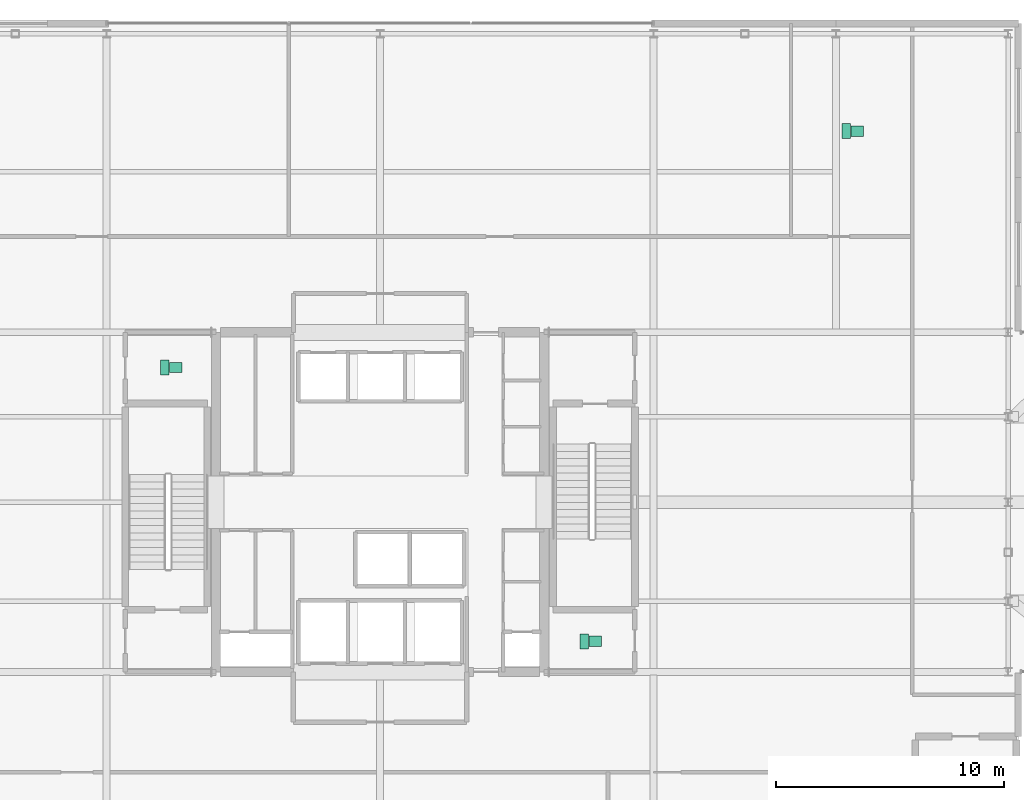
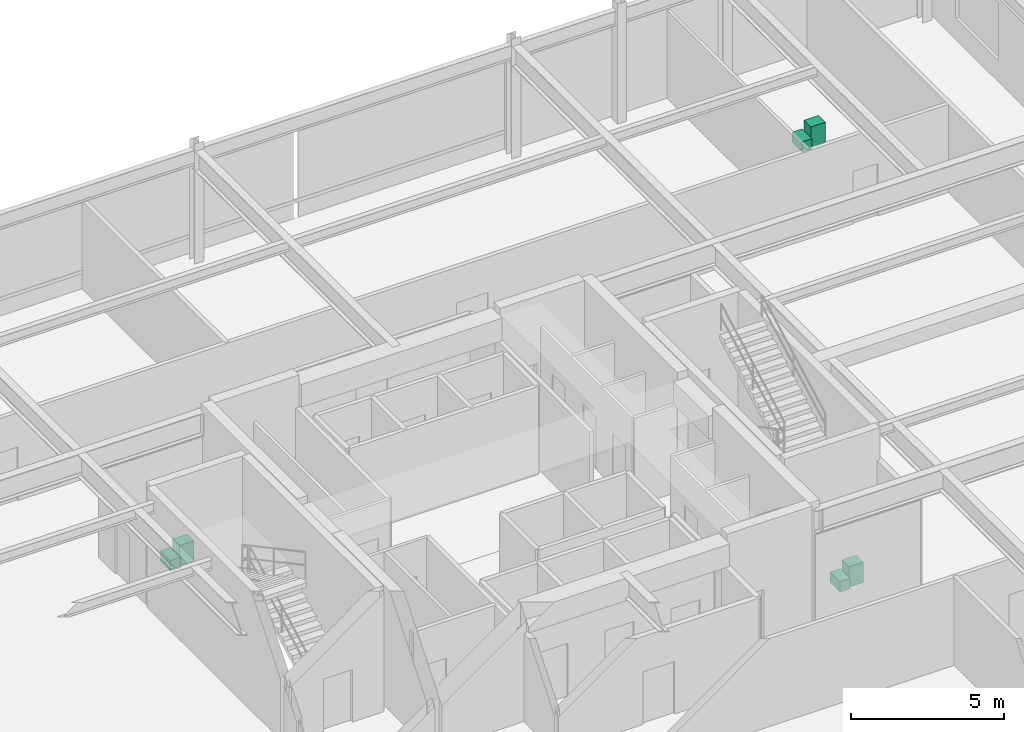
# One storey, part 26 of 26: 6 sanitary terminals.
"""IFC4 building model written with IfcOpenShell, lengths in metres."""

from ifc_helpers import new_model, si_unit, direction, frame, origin, origin_2d, place, context, subcontext, project, spatial, rectangle, extrude, material, type_object, element, save


model = new_model("IFC4")

# Units and contexts
model_context = context("Model", 3, precision=1e-05, world=origin(), true_north=direction((0.0, 1.0)))
body_context = subcontext(model_context, "Body", "Model", "MODEL_VIEW")
ifc_project = project(units=[si_unit("LENGTHUNIT", "METRE"), si_unit("AREAUNIT", "SQUARE_METRE"), si_unit("VOLUMEUNIT", "CUBIC_METRE"), si_unit("PLANEANGLEUNIT", "RADIAN"), si_unit("MASSUNIT", "GRAM", prefix="KILO")], contexts=[model_context])

# Site, building, storey
site_placement = place(None, origin())
site = spatial("IfcSite", under=ifc_project, at=site_placement, CompositionType="ELEMENT")
building_placement = place(site_placement, origin())
building = spatial("IfcBuilding", under=site, at=building_placement, Name="Veldorina Hangang Commons", CompositionType="ELEMENT")
storey_placement = place(building_placement, frame((0.0, 0.0, 10.0)))
storey = spatial("IfcBuildingStorey", under=building, at=storey_placement, Name="L02", CompositionType="ELEMENT", Elevation=10.0)

# Sanitary terminals
ifc_material = material(Name="Vitreous China Glazed White", Category="ceramic")
sanitary_terminal_type_1 = type_object("IfcSanitaryTerminalType", Name="SAN-BSN-1", PredefinedType="WASHHANDBASIN", material=ifc_material)
for number, where, z_axis, x_axis, name in (
    (1, (23.0400390625, 29.909912109375, 0.0), (0.0, 0.0, 1.0), (1.0, 0.0, 0.0), "L02 Accessible Restroom WC wash hand basin"),
    (2, (41.43994140625, 17.889892578125, 0.0), (0.0, 0.0, 1.0), (1.0, 0.0, 0.0), "L02 Common Restroom WC wash hand basin"),
    (3, (52.929931640625, 40.27490234375, 0.0), (0.0, 0.0, 1.0), (1.0, 0.0, 0.0), "L02 L02 Podium Public Restroom WC wash hand basin"),
):
    element("IfcSanitaryTerminal", number, at=place(storey_placement, frame(where, z_axis=z_axis, x_axis=x_axis)), inside=storey, type_object=sanitary_terminal_type_1, Name=name, PredefinedType="WASHHANDBASIN", context=body_context, shape_type="SweptSolid", body=[
        extrude(rectangle(XDim=0.550048828125, YDim=0.449951171875, at=origin_2d()), origin(), (0.0, 0.0, 1.0), 0.820068359375),
    ])
sanitary_terminal_type_2 = type_object("IfcSanitaryTerminalType", Name="SAN-WC-1", PredefinedType="TOILETPAN", material=ifc_material)
for number, where, z_axis, x_axis, name in (
    (4, (22.56005859375, 29.909912109375, 0.0), (0.0, 0.0, 1.0), (1.0, 0.0, 0.0), "L02 Accessible Restroom WC water closet"),
    (5, (40.9599609375, 17.889892578125, 0.0), (0.0, 0.0, 1.0), (1.0, 0.0, 0.0), "L02 Common Restroom WC water closet"),
    (6, (52.449951171875, 40.27490234375, 0.0), (0.0, 0.0, 1.0), (1.0, 0.0, 0.0), "L02 L02 Podium Public Restroom WC water closet"),
):
    element("IfcSanitaryTerminal", number, at=place(storey_placement, frame(where, z_axis=z_axis, x_axis=x_axis)), inside=storey, type_object=sanitary_terminal_type_2, Name=name, PredefinedType="TOILETPAN", context=body_context, shape_type="SweptSolid", body=[
        extrude(rectangle(XDim=0.3798828125, YDim=0.64990234375, at=origin_2d()), origin(), (0.0, 0.0, 1.0), 0.419921875),
    ])

save(model, "model.ifc")
